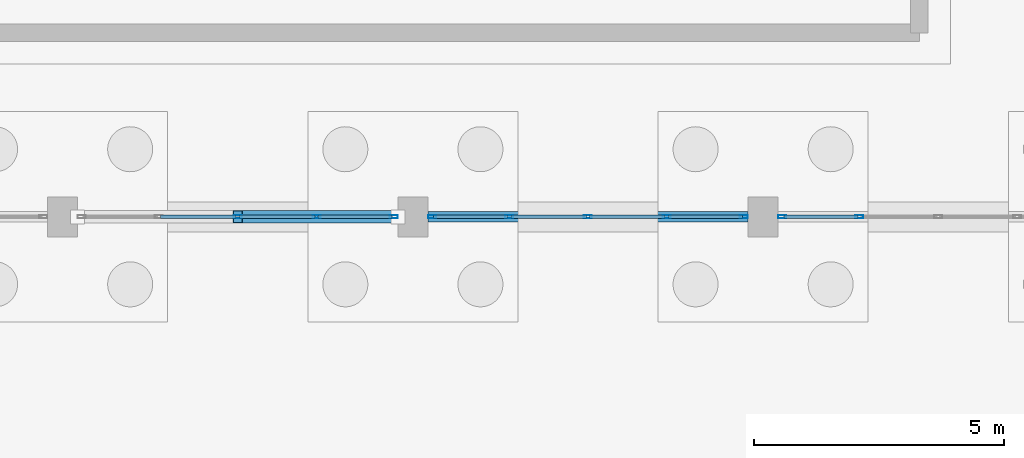
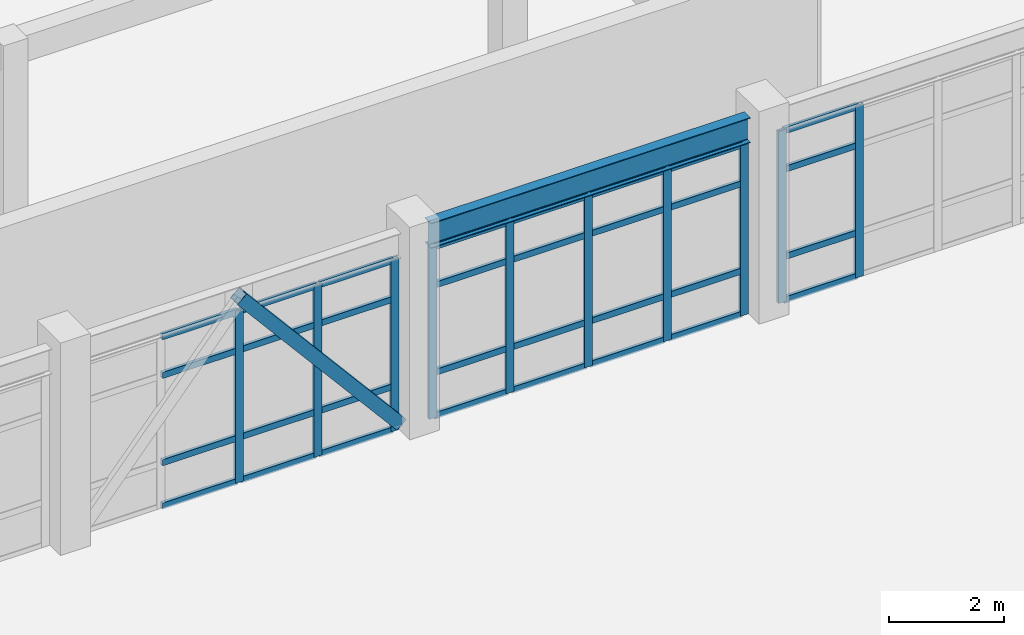
# One storey, part 26 of 154: 43 members, 1 beam, 3 elements without a shape of their own.
"""IFC4 building model written with IfcOpenShell, lengths in metres."""

from ifc_helpers import new_model, si_unit, direction, frame, origin, origin_2d, place, context, subcontext, project, spatial, hollow_rectangle, i_section, extrude, material, material_profile, profile_set, type_object, element, aggregate, save


model = new_model("IFC4")

# Units and contexts
model_context = context("Model", 3, precision=1e-05, world=origin(), true_north=direction((0.0, 1.0)))
body_context = subcontext(model_context, "Body", "Model", "MODEL_VIEW")
ifc_project = project(units=[si_unit("LENGTHUNIT", "METRE"), si_unit("AREAUNIT", "SQUARE_METRE"), si_unit("VOLUMEUNIT", "CUBIC_METRE"), si_unit("PLANEANGLEUNIT", "RADIAN"), si_unit("MASSUNIT", "GRAM", prefix="KILO")], contexts=[model_context])

# Site, building, storey
site_placement = place(None, origin())
site = spatial("IfcSite", under=ifc_project, at=site_placement, CompositionType="ELEMENT")
building_placement = place(site_placement, origin())
building = spatial("IfcBuilding", under=site, at=building_placement, Name="Kestramere Prow Commons", CompositionType="ELEMENT")
storey_placement = place(building_placement, origin())
storey = spatial("IfcBuildingStorey", under=building, at=storey_placement, Name="L00", CompositionType="ELEMENT", Elevation=0.0)

# Beam
ifc_material_1 = material(Name="Steel S355JR", Category="steel")
ifc_material_profile_1 = material_profile(ifc_material_1, i_section(OverallWidth=0.209228515625, OverallDepth=0.533203125, WebThickness=0.010009765625, FlangeThickness=0.015625, FilletRadius=0.0126953125, at=origin_2d()), Name="UB 533x210x92")
ifc_profile_set_1 = profile_set([ifc_material_profile_1], Name="Steel S355JR")
beam_type = type_object("IfcBeamType", Name="BM-HL-GAL UB 533x210x92 (EX)", PredefinedType="BEAM", material=ifc_profile_set_1)
beam_placement = place(storey_placement, frame((37.5, 43.5, 3.933349609375), z_axis=(1.0, 0.0, 0.0), x_axis=(0.0, 1.0, 0.0)))
element("IfcBeam", 1, at=beam_placement, inside=storey, type_object=beam_type, Name="Hall North Perimeter Tie Girder 6", PredefinedType="BEAM", context=body_context, shape_type="SweptSolid", body=[
    extrude(i_section(OverallWidth=0.209228515625, OverallDepth=0.533203125, WebThickness=0.010009765625, FlangeThickness=0.015625, FilletRadius=0.0126953125, at=origin_2d()), origin(), (0.0, 0.0, 1.0), 6.39990234375),
])

# Member
ifc_material_profile_2 = material_profile(ifc_material_1, hollow_rectangle(XDim=0.25, YDim=0.25, WallThickness=0.012451171875, at=origin_2d()), Name="SHS 250x250x12.5")
ifc_profile_set_2 = profile_set([ifc_material_profile_2], Name="Steel S355JR")
member_type_1 = type_object("IfcMemberType", Name="BRHL-01 SHS 250x250x12.5", PredefinedType="BRACE", material=ifc_profile_set_2)
member_1_placement = place(storey_placement, frame((36.89990234375, 43.5, 0.14990234375), z_axis=(-0.645774370013, 0.0, 0.763528298778), x_axis=(0.0, -1.0, 0.0)))
element("IfcMember", 2, at=member_1_placement, inside=storey, type_object=member_type_1, Name="Community Hall Flank Diagonal Brace L00-5R", PredefinedType="BRACE", context=body_context, shape_type="SweptSolid", body=[
    extrude(hollow_rectangle(XDim=0.25, YDim=0.25, WallThickness=0.012451171875, at=origin_2d()), origin(), (0.0, 0.0, 1.0), 4.955322265625),
])

# Curtain wall, members
ifc_material_2 = material(Name="Anodised Aluminium and Low-E Glass", Category="aluminium")
curtain_wall_type = type_object("IfcCurtainWallType", Name="CW-11 Glazed Curtain Wall 6300x3650", PredefinedType="USERDEFINED", material=ifc_material_2)
curtain_wall_1_placement = place(storey_placement, origin())
curtain_wall_1 = element("IfcCurtainWall", 3, at=curtain_wall_1_placement, inside=storey, type_object=curtain_wall_type, Name="Hall North Courtyard Curtain Wall L00-5", ObjectType="GLAZED CURTAIN WALL", PredefinedType="USERDEFINED")
ifc_material_3 = material(Name="Anodised Aluminium 6063-T6", Category="aluminium")
ifc_material_profile_3 = material_profile(ifc_material_3, hollow_rectangle(XDim=0.06494140625, YDim=0.159912109375, WallThickness=0.00390625, at=origin_2d()), Name="ALU-MUL 65x160")
ifc_profile_set_3 = profile_set([ifc_material_profile_3], Name="Anodised Aluminium 6063-T6")
member_type_2 = type_object("IfcMemberType", Name="CW-MUL-65x160", PredefinedType="MULLION", material=ifc_profile_set_3)
member_2_placement = place(storey_placement, frame((33.699951171875, 43.5, 0.0), z_axis=(0.0, 0.0, 1.0), x_axis=(0.0, 1.0, 0.0)))
member_2 = element("IfcMember", 4, at=member_2_placement, type_object=member_type_2, Name="CW-11 mullion 3", PredefinedType="MULLION", context=body_context, shape_type="SweptSolid", body=[
    extrude(hollow_rectangle(XDim=0.06494140625, YDim=0.159912109375, WallThickness=0.00390625, at=origin_2d()), origin(), (0.0, 0.0, 1.0), 3.64990234375),
])
member_3_placement = place(storey_placement, frame((35.27490234375, 43.5, 0.0), z_axis=(0.0, 0.0, 1.0), x_axis=(0.0, 1.0, 0.0)))
member_3 = element("IfcMember", 5, at=member_3_placement, type_object=member_type_2, Name="CW-11 mullion 4", PredefinedType="MULLION", context=body_context, shape_type="SweptSolid", body=[
    extrude(hollow_rectangle(XDim=0.06494140625, YDim=0.159912109375, WallThickness=0.00390625, at=origin_2d()), origin(), (0.0, 0.0, 1.0), 3.64990234375),
])
member_4_placement = place(storey_placement, frame((36.8173828125, 43.5, 0.0), z_axis=(0.0, 0.0, 1.0), x_axis=(0.0, 1.0, 0.0)))
member_4 = element("IfcMember", 6, at=member_4_placement, type_object=member_type_2, Name="CW-11 mullion 5", PredefinedType="MULLION", context=body_context, shape_type="SweptSolid", body=[
    extrude(hollow_rectangle(XDim=0.06494140625, YDim=0.159912109375, WallThickness=0.00390625, at=origin_2d()), origin(), (0.0, 0.0, 1.0), 3.64990234375),
])

curtain_wall_2_placement = place(storey_placement, origin())
curtain_wall_2 = element("IfcCurtainWall", 7, at=curtain_wall_2_placement, inside=storey, type_object=curtain_wall_type, Name="Hall North Courtyard Curtain Wall L00-6", ObjectType="GLAZED CURTAIN WALL", PredefinedType="USERDEFINED")
member_5_placement = place(storey_placement, frame((37.58251953125, 43.5, 0.0), z_axis=(0.0, 0.0, 1.0), x_axis=(0.0, 1.0, 0.0)))
member_5 = element("IfcMember", 8, at=member_5_placement, type_object=member_type_2, Name="CW-11 mullion 1", PredefinedType="MULLION", context=body_context, shape_type="SweptSolid", body=[
    extrude(hollow_rectangle(XDim=0.06494140625, YDim=0.159912109375, WallThickness=0.00390625, at=origin_2d()), origin(), (0.0, 0.0, 1.0), 3.64990234375),
])
member_6_placement = place(storey_placement, frame((39.125, 43.5, 0.0), z_axis=(0.0, 0.0, 1.0), x_axis=(0.0, 1.0, 0.0)))
member_6 = element("IfcMember", 9, at=member_6_placement, type_object=member_type_2, Name="CW-11 mullion 2", PredefinedType="MULLION", context=body_context, shape_type="SweptSolid", body=[
    extrude(hollow_rectangle(XDim=0.06494140625, YDim=0.159912109375, WallThickness=0.00390625, at=origin_2d()), origin(), (0.0, 0.0, 1.0), 3.64990234375),
])
member_7_placement = place(storey_placement, frame((40.699951171875, 43.5, 0.0), z_axis=(0.0, 0.0, 1.0), x_axis=(0.0, 1.0, 0.0)))
member_7 = element("IfcMember", 10, at=member_7_placement, type_object=member_type_2, Name="CW-11 mullion 3", PredefinedType="MULLION", context=body_context, shape_type="SweptSolid", body=[
    extrude(hollow_rectangle(XDim=0.06494140625, YDim=0.159912109375, WallThickness=0.00390625, at=origin_2d()), origin(), (0.0, 0.0, 1.0), 3.64990234375),
])
member_8_placement = place(storey_placement, frame((42.27490234375, 43.5, 0.0), z_axis=(0.0, 0.0, 1.0), x_axis=(0.0, 1.0, 0.0)))
member_8 = element("IfcMember", 11, at=member_8_placement, type_object=member_type_2, Name="CW-11 mullion 4", PredefinedType="MULLION", context=body_context, shape_type="SweptSolid", body=[
    extrude(hollow_rectangle(XDim=0.06494140625, YDim=0.159912109375, WallThickness=0.00390625, at=origin_2d()), origin(), (0.0, 0.0, 1.0), 3.64990234375),
])
member_9_placement = place(storey_placement, frame((43.8173828125, 43.5, 0.0), z_axis=(0.0, 0.0, 1.0), x_axis=(0.0, 1.0, 0.0)))
member_9 = element("IfcMember", 12, at=member_9_placement, type_object=member_type_2, Name="CW-11 mullion 5", PredefinedType="MULLION", context=body_context, shape_type="SweptSolid", body=[
    extrude(hollow_rectangle(XDim=0.06494140625, YDim=0.159912109375, WallThickness=0.00390625, at=origin_2d()), origin(), (0.0, 0.0, 1.0), 3.64990234375),
])

curtain_wall_3_placement = place(storey_placement, origin())
curtain_wall_3 = element("IfcCurtainWall", 13, at=curtain_wall_3_placement, inside=storey, type_object=curtain_wall_type, Name="Hall North Courtyard Curtain Wall L00-7", ObjectType="GLAZED CURTAIN WALL", PredefinedType="USERDEFINED")
member_10_placement = place(storey_placement, frame((44.58251953125, 43.5, 0.0), z_axis=(0.0, 0.0, 1.0), x_axis=(0.0, 1.0, 0.0)))
member_10 = element("IfcMember", 14, at=member_10_placement, type_object=member_type_2, Name="CW-11 mullion 1", PredefinedType="MULLION", context=body_context, shape_type="SweptSolid", body=[
    extrude(hollow_rectangle(XDim=0.06494140625, YDim=0.159912109375, WallThickness=0.00390625, at=origin_2d()), origin(), (0.0, 0.0, 1.0), 3.64990234375),
])
member_11_placement = place(storey_placement, frame((46.125, 43.5, 0.0), z_axis=(0.0, 0.0, 1.0), x_axis=(0.0, 1.0, 0.0)))
member_11 = element("IfcMember", 15, at=member_11_placement, type_object=member_type_2, Name="CW-11 mullion 2", PredefinedType="MULLION", context=body_context, shape_type="SweptSolid", body=[
    extrude(hollow_rectangle(XDim=0.06494140625, YDim=0.159912109375, WallThickness=0.00390625, at=origin_2d()), origin(), (0.0, 0.0, 1.0), 3.64990234375),
])

# Member
ifc_material_profile_4 = material_profile(ifc_material_3, hollow_rectangle(XDim=0.06494140625, YDim=0.1298828125, WallThickness=0.00390625, at=origin_2d()), Name="ALU-TRN 65x130")
ifc_profile_set_4 = profile_set([ifc_material_profile_4], Name="Anodised Aluminium 6063-T6")
member_type_3 = type_object("IfcMemberType", Name="CW-TRN-65x130", PredefinedType="USERDEFINED", material=ifc_profile_set_4)
member_12_placement = place(storey_placement, frame((32.157470703125, 43.5, 0.032470703125), z_axis=(1.0, 0.0, 0.0), x_axis=(0.0, 1.0, 0.0)))
member_12 = element("IfcMember", 16, at=member_12_placement, type_object=member_type_3, Name="CW-11 transom 2.1", ObjectType="TRANSOM", PredefinedType="USERDEFINED", context=body_context, shape_type="SweptSolid", body=[
    extrude(hollow_rectangle(XDim=0.06494140625, YDim=0.1298828125, WallThickness=0.00390625, at=origin_2d()), origin(), (0.0, 0.0, 1.0), 1.510009765625),
])

member_13_placement = place(storey_placement, frame((32.157470703125, 43.5, 0.949951171875), z_axis=(1.0, 0.0, 0.0), x_axis=(0.0, 1.0, 0.0)))
member_13 = element("IfcMember", 17, at=member_13_placement, type_object=member_type_3, Name="CW-11 transom 2.2", ObjectType="TRANSOM", PredefinedType="USERDEFINED", context=body_context, shape_type="SweptSolid", body=[
    extrude(hollow_rectangle(XDim=0.06494140625, YDim=0.1298828125, WallThickness=0.00390625, at=origin_2d()), origin(), (0.0, 0.0, 1.0), 1.510009765625),
])

member_14_placement = place(storey_placement, frame((32.157470703125, 43.5, 2.800048828125), z_axis=(1.0, 0.0, 0.0), x_axis=(0.0, 1.0, 0.0)))
member_14 = element("IfcMember", 18, at=member_14_placement, type_object=member_type_3, Name="CW-11 transom 2.3", ObjectType="TRANSOM", PredefinedType="USERDEFINED", context=body_context, shape_type="SweptSolid", body=[
    extrude(hollow_rectangle(XDim=0.06494140625, YDim=0.1298828125, WallThickness=0.00390625, at=origin_2d()), origin(), (0.0, 0.0, 1.0), 1.510009765625),
])

member_15_placement = place(storey_placement, frame((32.157470703125, 43.5, 3.617431640625), z_axis=(1.0, 0.0, 0.0), x_axis=(0.0, 1.0, 0.0)))
member_15 = element("IfcMember", 19, at=member_15_placement, type_object=member_type_3, Name="CW-11 transom 2.4", ObjectType="TRANSOM", PredefinedType="USERDEFINED", context=body_context, shape_type="SweptSolid", body=[
    extrude(hollow_rectangle(XDim=0.06494140625, YDim=0.1298828125, WallThickness=0.00390625, at=origin_2d()), origin(), (0.0, 0.0, 1.0), 1.510009765625),
])

member_16_placement = place(storey_placement, frame((33.732421875, 43.5, 0.032470703125), z_axis=(1.0, 0.0, 0.0), x_axis=(0.0, 1.0, 0.0)))
member_16 = element("IfcMember", 20, at=member_16_placement, type_object=member_type_3, Name="CW-11 transom 3.1", ObjectType="TRANSOM", PredefinedType="USERDEFINED", context=body_context, shape_type="SweptSolid", body=[
    extrude(hollow_rectangle(XDim=0.06494140625, YDim=0.1298828125, WallThickness=0.00390625, at=origin_2d()), origin(), (0.0, 0.0, 1.0), 1.510009765625),
])

member_17_placement = place(storey_placement, frame((33.732421875, 43.5, 0.949951171875), z_axis=(1.0, 0.0, 0.0), x_axis=(0.0, 1.0, 0.0)))
member_17 = element("IfcMember", 21, at=member_17_placement, type_object=member_type_3, Name="CW-11 transom 3.2", ObjectType="TRANSOM", PredefinedType="USERDEFINED", context=body_context, shape_type="SweptSolid", body=[
    extrude(hollow_rectangle(XDim=0.06494140625, YDim=0.1298828125, WallThickness=0.00390625, at=origin_2d()), origin(), (0.0, 0.0, 1.0), 1.510009765625),
])

member_18_placement = place(storey_placement, frame((33.732421875, 43.5, 2.800048828125), z_axis=(1.0, 0.0, 0.0), x_axis=(0.0, 1.0, 0.0)))
member_18 = element("IfcMember", 22, at=member_18_placement, type_object=member_type_3, Name="CW-11 transom 3.3", ObjectType="TRANSOM", PredefinedType="USERDEFINED", context=body_context, shape_type="SweptSolid", body=[
    extrude(hollow_rectangle(XDim=0.06494140625, YDim=0.1298828125, WallThickness=0.00390625, at=origin_2d()), origin(), (0.0, 0.0, 1.0), 1.510009765625),
])

member_19_placement = place(storey_placement, frame((33.732421875, 43.5, 3.617431640625), z_axis=(1.0, 0.0, 0.0), x_axis=(0.0, 1.0, 0.0)))
member_19 = element("IfcMember", 23, at=member_19_placement, type_object=member_type_3, Name="CW-11 transom 3.4", ObjectType="TRANSOM", PredefinedType="USERDEFINED", context=body_context, shape_type="SweptSolid", body=[
    extrude(hollow_rectangle(XDim=0.06494140625, YDim=0.1298828125, WallThickness=0.00390625, at=origin_2d()), origin(), (0.0, 0.0, 1.0), 1.510009765625),
])

member_20_placement = place(storey_placement, frame((35.3076171875, 43.5, 0.032470703125), z_axis=(1.0, 0.0, 0.0), x_axis=(0.0, 1.0, 0.0)))
member_20 = element("IfcMember", 24, at=member_20_placement, type_object=member_type_3, Name="CW-11 transom 4.1", ObjectType="TRANSOM", PredefinedType="USERDEFINED", context=body_context, shape_type="SweptSolid", body=[
    extrude(hollow_rectangle(XDim=0.06494140625, YDim=0.1298828125, WallThickness=0.00390625, at=origin_2d()), origin(), (0.0, 0.0, 1.0), 1.477294921875),
])

member_21_placement = place(storey_placement, frame((35.3076171875, 43.5, 0.949951171875), z_axis=(1.0, 0.0, 0.0), x_axis=(0.0, 1.0, 0.0)))
member_21 = element("IfcMember", 25, at=member_21_placement, type_object=member_type_3, Name="CW-11 transom 4.2", ObjectType="TRANSOM", PredefinedType="USERDEFINED", context=body_context, shape_type="SweptSolid", body=[
    extrude(hollow_rectangle(XDim=0.06494140625, YDim=0.1298828125, WallThickness=0.00390625, at=origin_2d()), origin(), (0.0, 0.0, 1.0), 1.477294921875),
])

member_22_placement = place(storey_placement, frame((35.3076171875, 43.5, 2.800048828125), z_axis=(1.0, 0.0, 0.0), x_axis=(0.0, 1.0, 0.0)))
member_22 = element("IfcMember", 26, at=member_22_placement, type_object=member_type_3, Name="CW-11 transom 4.3", ObjectType="TRANSOM", PredefinedType="USERDEFINED", context=body_context, shape_type="SweptSolid", body=[
    extrude(hollow_rectangle(XDim=0.06494140625, YDim=0.1298828125, WallThickness=0.00390625, at=origin_2d()), origin(), (0.0, 0.0, 1.0), 1.477294921875),
])

member_23_placement = place(storey_placement, frame((35.3076171875, 43.5, 3.617431640625), z_axis=(1.0, 0.0, 0.0), x_axis=(0.0, 1.0, 0.0)))
member_23 = element("IfcMember", 27, at=member_23_placement, type_object=member_type_3, Name="CW-11 transom 4.4", ObjectType="TRANSOM", PredefinedType="USERDEFINED", context=body_context, shape_type="SweptSolid", body=[
    extrude(hollow_rectangle(XDim=0.06494140625, YDim=0.1298828125, WallThickness=0.00390625, at=origin_2d()), origin(), (0.0, 0.0, 1.0), 1.477294921875),
])

aggregate(curtain_wall_1, [member_2, member_3, member_4, member_12, member_13, member_14, member_15, member_16, member_17, member_18, member_19, member_20, member_21, member_22, member_23])

member_24_placement = place(storey_placement, frame((37.614990234375, 43.5, 0.032470703125), z_axis=(1.0, 0.0, 0.0), x_axis=(0.0, 1.0, 0.0)))
member_24 = element("IfcMember", 28, at=member_24_placement, type_object=member_type_3, Name="CW-11 transom 1.1", ObjectType="TRANSOM", PredefinedType="USERDEFINED", context=body_context, shape_type="SweptSolid", body=[
    extrude(hollow_rectangle(XDim=0.06494140625, YDim=0.1298828125, WallThickness=0.00390625, at=origin_2d()), origin(), (0.0, 0.0, 1.0), 1.4775390625),
])

member_25_placement = place(storey_placement, frame((37.614990234375, 43.5, 0.949951171875), z_axis=(1.0, 0.0, 0.0), x_axis=(0.0, 1.0, 0.0)))
member_25 = element("IfcMember", 29, at=member_25_placement, type_object=member_type_3, Name="CW-11 transom 1.2", ObjectType="TRANSOM", PredefinedType="USERDEFINED", context=body_context, shape_type="SweptSolid", body=[
    extrude(hollow_rectangle(XDim=0.06494140625, YDim=0.1298828125, WallThickness=0.00390625, at=origin_2d()), origin(), (0.0, 0.0, 1.0), 1.4775390625),
])

member_26_placement = place(storey_placement, frame((37.614990234375, 43.5, 2.800048828125), z_axis=(1.0, 0.0, 0.0), x_axis=(0.0, 1.0, 0.0)))
member_26 = element("IfcMember", 30, at=member_26_placement, type_object=member_type_3, Name="CW-11 transom 1.3", ObjectType="TRANSOM", PredefinedType="USERDEFINED", context=body_context, shape_type="SweptSolid", body=[
    extrude(hollow_rectangle(XDim=0.06494140625, YDim=0.1298828125, WallThickness=0.00390625, at=origin_2d()), origin(), (0.0, 0.0, 1.0), 1.4775390625),
])

member_27_placement = place(storey_placement, frame((37.614990234375, 43.5, 3.617431640625), z_axis=(1.0, 0.0, 0.0), x_axis=(0.0, 1.0, 0.0)))
member_27 = element("IfcMember", 31, at=member_27_placement, type_object=member_type_3, Name="CW-11 transom 1.4", ObjectType="TRANSOM", PredefinedType="USERDEFINED", context=body_context, shape_type="SweptSolid", body=[
    extrude(hollow_rectangle(XDim=0.06494140625, YDim=0.1298828125, WallThickness=0.00390625, at=origin_2d()), origin(), (0.0, 0.0, 1.0), 1.4775390625),
])

member_28_placement = place(storey_placement, frame((39.157470703125, 43.5, 0.032470703125), z_axis=(1.0, 0.0, 0.0), x_axis=(0.0, 1.0, 0.0)))
member_28 = element("IfcMember", 32, at=member_28_placement, type_object=member_type_3, Name="CW-11 transom 2.1", ObjectType="TRANSOM", PredefinedType="USERDEFINED", context=body_context, shape_type="SweptSolid", body=[
    extrude(hollow_rectangle(XDim=0.06494140625, YDim=0.1298828125, WallThickness=0.00390625, at=origin_2d()), origin(), (0.0, 0.0, 1.0), 1.510009765625),
])

member_29_placement = place(storey_placement, frame((39.157470703125, 43.5, 0.949951171875), z_axis=(1.0, 0.0, 0.0), x_axis=(0.0, 1.0, 0.0)))
member_29 = element("IfcMember", 33, at=member_29_placement, type_object=member_type_3, Name="CW-11 transom 2.2", ObjectType="TRANSOM", PredefinedType="USERDEFINED", context=body_context, shape_type="SweptSolid", body=[
    extrude(hollow_rectangle(XDim=0.06494140625, YDim=0.1298828125, WallThickness=0.00390625, at=origin_2d()), origin(), (0.0, 0.0, 1.0), 1.510009765625),
])

member_30_placement = place(storey_placement, frame((39.157470703125, 43.5, 2.800048828125), z_axis=(1.0, 0.0, 0.0), x_axis=(0.0, 1.0, 0.0)))
member_30 = element("IfcMember", 34, at=member_30_placement, type_object=member_type_3, Name="CW-11 transom 2.3", ObjectType="TRANSOM", PredefinedType="USERDEFINED", context=body_context, shape_type="SweptSolid", body=[
    extrude(hollow_rectangle(XDim=0.06494140625, YDim=0.1298828125, WallThickness=0.00390625, at=origin_2d()), origin(), (0.0, 0.0, 1.0), 1.510009765625),
])

member_31_placement = place(storey_placement, frame((39.157470703125, 43.5, 3.617431640625), z_axis=(1.0, 0.0, 0.0), x_axis=(0.0, 1.0, 0.0)))
member_31 = element("IfcMember", 35, at=member_31_placement, type_object=member_type_3, Name="CW-11 transom 2.4", ObjectType="TRANSOM", PredefinedType="USERDEFINED", context=body_context, shape_type="SweptSolid", body=[
    extrude(hollow_rectangle(XDim=0.06494140625, YDim=0.1298828125, WallThickness=0.00390625, at=origin_2d()), origin(), (0.0, 0.0, 1.0), 1.510009765625),
])

member_32_placement = place(storey_placement, frame((40.732421875, 43.5, 0.032470703125), z_axis=(1.0, 0.0, 0.0), x_axis=(0.0, 1.0, 0.0)))
member_32 = element("IfcMember", 36, at=member_32_placement, type_object=member_type_3, Name="CW-11 transom 3.1", ObjectType="TRANSOM", PredefinedType="USERDEFINED", context=body_context, shape_type="SweptSolid", body=[
    extrude(hollow_rectangle(XDim=0.06494140625, YDim=0.1298828125, WallThickness=0.00390625, at=origin_2d()), origin(), (0.0, 0.0, 1.0), 1.510009765625),
])

member_33_placement = place(storey_placement, frame((40.732421875, 43.5, 0.949951171875), z_axis=(1.0, 0.0, 0.0), x_axis=(0.0, 1.0, 0.0)))
member_33 = element("IfcMember", 37, at=member_33_placement, type_object=member_type_3, Name="CW-11 transom 3.2", ObjectType="TRANSOM", PredefinedType="USERDEFINED", context=body_context, shape_type="SweptSolid", body=[
    extrude(hollow_rectangle(XDim=0.06494140625, YDim=0.1298828125, WallThickness=0.00390625, at=origin_2d()), origin(), (0.0, 0.0, 1.0), 1.510009765625),
])

member_34_placement = place(storey_placement, frame((40.732421875, 43.5, 2.800048828125), z_axis=(1.0, 0.0, 0.0), x_axis=(0.0, 1.0, 0.0)))
member_34 = element("IfcMember", 38, at=member_34_placement, type_object=member_type_3, Name="CW-11 transom 3.3", ObjectType="TRANSOM", PredefinedType="USERDEFINED", context=body_context, shape_type="SweptSolid", body=[
    extrude(hollow_rectangle(XDim=0.06494140625, YDim=0.1298828125, WallThickness=0.00390625, at=origin_2d()), origin(), (0.0, 0.0, 1.0), 1.510009765625),
])

member_35_placement = place(storey_placement, frame((40.732421875, 43.5, 3.617431640625), z_axis=(1.0, 0.0, 0.0), x_axis=(0.0, 1.0, 0.0)))
member_35 = element("IfcMember", 39, at=member_35_placement, type_object=member_type_3, Name="CW-11 transom 3.4", ObjectType="TRANSOM", PredefinedType="USERDEFINED", context=body_context, shape_type="SweptSolid", body=[
    extrude(hollow_rectangle(XDim=0.06494140625, YDim=0.1298828125, WallThickness=0.00390625, at=origin_2d()), origin(), (0.0, 0.0, 1.0), 1.510009765625),
])

member_36_placement = place(storey_placement, frame((42.3076171875, 43.5, 0.032470703125), z_axis=(1.0, 0.0, 0.0), x_axis=(0.0, 1.0, 0.0)))
member_36 = element("IfcMember", 40, at=member_36_placement, type_object=member_type_3, Name="CW-11 transom 4.1", ObjectType="TRANSOM", PredefinedType="USERDEFINED", context=body_context, shape_type="SweptSolid", body=[
    extrude(hollow_rectangle(XDim=0.06494140625, YDim=0.1298828125, WallThickness=0.00390625, at=origin_2d()), origin(), (0.0, 0.0, 1.0), 1.477294921875),
])

member_37_placement = place(storey_placement, frame((42.3076171875, 43.5, 0.949951171875), z_axis=(1.0, 0.0, 0.0), x_axis=(0.0, 1.0, 0.0)))
member_37 = element("IfcMember", 41, at=member_37_placement, type_object=member_type_3, Name="CW-11 transom 4.2", ObjectType="TRANSOM", PredefinedType="USERDEFINED", context=body_context, shape_type="SweptSolid", body=[
    extrude(hollow_rectangle(XDim=0.06494140625, YDim=0.1298828125, WallThickness=0.00390625, at=origin_2d()), origin(), (0.0, 0.0, 1.0), 1.477294921875),
])

member_38_placement = place(storey_placement, frame((42.3076171875, 43.5, 2.800048828125), z_axis=(1.0, 0.0, 0.0), x_axis=(0.0, 1.0, 0.0)))
member_38 = element("IfcMember", 42, at=member_38_placement, type_object=member_type_3, Name="CW-11 transom 4.3", ObjectType="TRANSOM", PredefinedType="USERDEFINED", context=body_context, shape_type="SweptSolid", body=[
    extrude(hollow_rectangle(XDim=0.06494140625, YDim=0.1298828125, WallThickness=0.00390625, at=origin_2d()), origin(), (0.0, 0.0, 1.0), 1.477294921875),
])

member_39_placement = place(storey_placement, frame((42.3076171875, 43.5, 3.617431640625), z_axis=(1.0, 0.0, 0.0), x_axis=(0.0, 1.0, 0.0)))
member_39 = element("IfcMember", 43, at=member_39_placement, type_object=member_type_3, Name="CW-11 transom 4.4", ObjectType="TRANSOM", PredefinedType="USERDEFINED", context=body_context, shape_type="SweptSolid", body=[
    extrude(hollow_rectangle(XDim=0.06494140625, YDim=0.1298828125, WallThickness=0.00390625, at=origin_2d()), origin(), (0.0, 0.0, 1.0), 1.477294921875),
])

aggregate(curtain_wall_2, [member_5, member_6, member_7, member_8, member_9, member_24, member_25, member_26, member_27, member_28, member_29, member_30, member_31, member_32, member_33, member_34, member_35, member_36, member_37, member_38, member_39])

member_40_placement = place(storey_placement, frame((44.614990234375, 43.5, 0.032470703125), z_axis=(1.0, 0.0, 0.0), x_axis=(0.0, 1.0, 0.0)))
member_40 = element("IfcMember", 44, at=member_40_placement, type_object=member_type_3, Name="CW-11 transom 1.1", ObjectType="TRANSOM", PredefinedType="USERDEFINED", context=body_context, shape_type="SweptSolid", body=[
    extrude(hollow_rectangle(XDim=0.06494140625, YDim=0.1298828125, WallThickness=0.00390625, at=origin_2d()), origin(), (0.0, 0.0, 1.0), 1.4775390625),
])

member_41_placement = place(storey_placement, frame((44.614990234375, 43.5, 0.949951171875), z_axis=(1.0, 0.0, 0.0), x_axis=(0.0, 1.0, 0.0)))
member_41 = element("IfcMember", 45, at=member_41_placement, type_object=member_type_3, Name="CW-11 transom 1.2", ObjectType="TRANSOM", PredefinedType="USERDEFINED", context=body_context, shape_type="SweptSolid", body=[
    extrude(hollow_rectangle(XDim=0.06494140625, YDim=0.1298828125, WallThickness=0.00390625, at=origin_2d()), origin(), (0.0, 0.0, 1.0), 1.4775390625),
])

member_42_placement = place(storey_placement, frame((44.614990234375, 43.5, 2.800048828125), z_axis=(1.0, 0.0, 0.0), x_axis=(0.0, 1.0, 0.0)))
member_42 = element("IfcMember", 46, at=member_42_placement, type_object=member_type_3, Name="CW-11 transom 1.3", ObjectType="TRANSOM", PredefinedType="USERDEFINED", context=body_context, shape_type="SweptSolid", body=[
    extrude(hollow_rectangle(XDim=0.06494140625, YDim=0.1298828125, WallThickness=0.00390625, at=origin_2d()), origin(), (0.0, 0.0, 1.0), 1.4775390625),
])

member_43_placement = place(storey_placement, frame((44.614990234375, 43.5, 3.617431640625), z_axis=(1.0, 0.0, 0.0), x_axis=(0.0, 1.0, 0.0)))
member_43 = element("IfcMember", 47, at=member_43_placement, type_object=member_type_3, Name="CW-11 transom 1.4", ObjectType="TRANSOM", PredefinedType="USERDEFINED", context=body_context, shape_type="SweptSolid", body=[
    extrude(hollow_rectangle(XDim=0.06494140625, YDim=0.1298828125, WallThickness=0.00390625, at=origin_2d()), origin(), (0.0, 0.0, 1.0), 1.4775390625),
])

aggregate(curtain_wall_3, [member_10, member_11, member_40, member_41, member_42, member_43])

save(model, "model.ifc")
